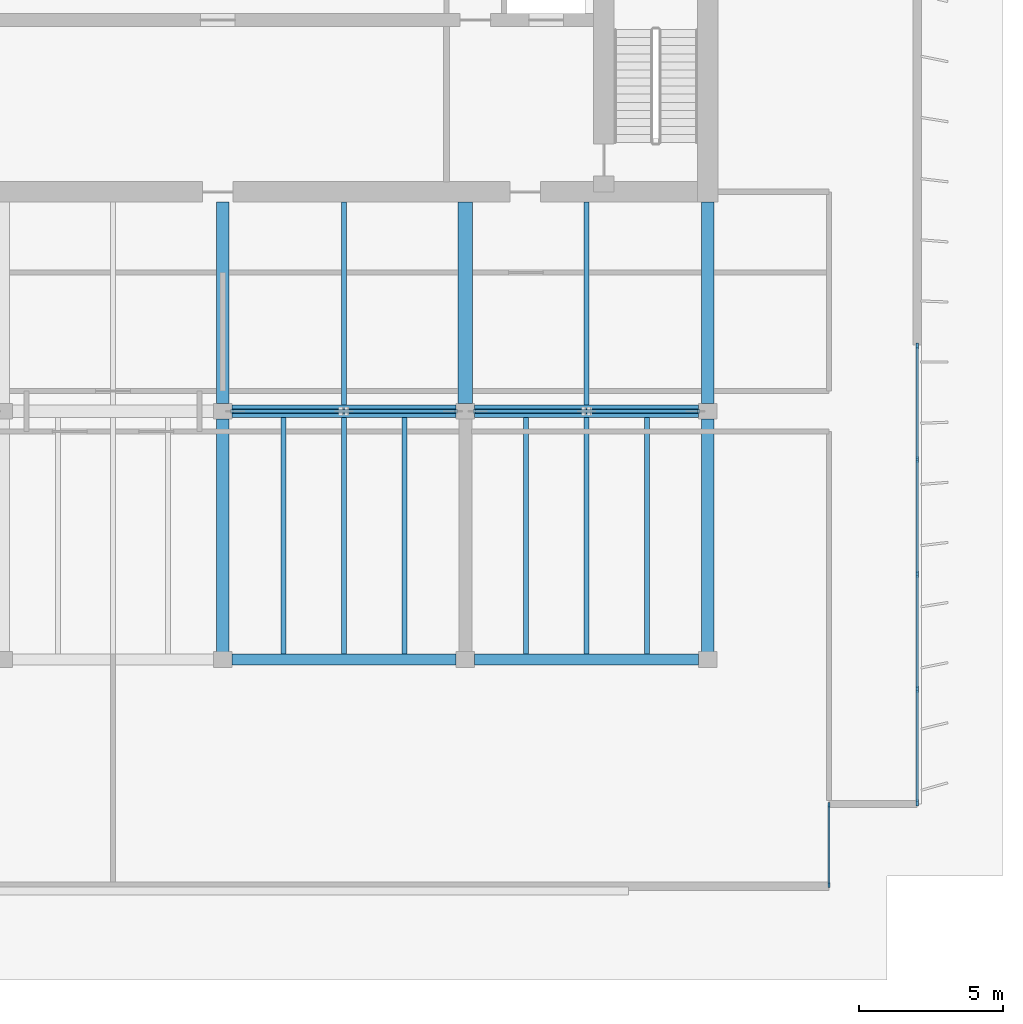
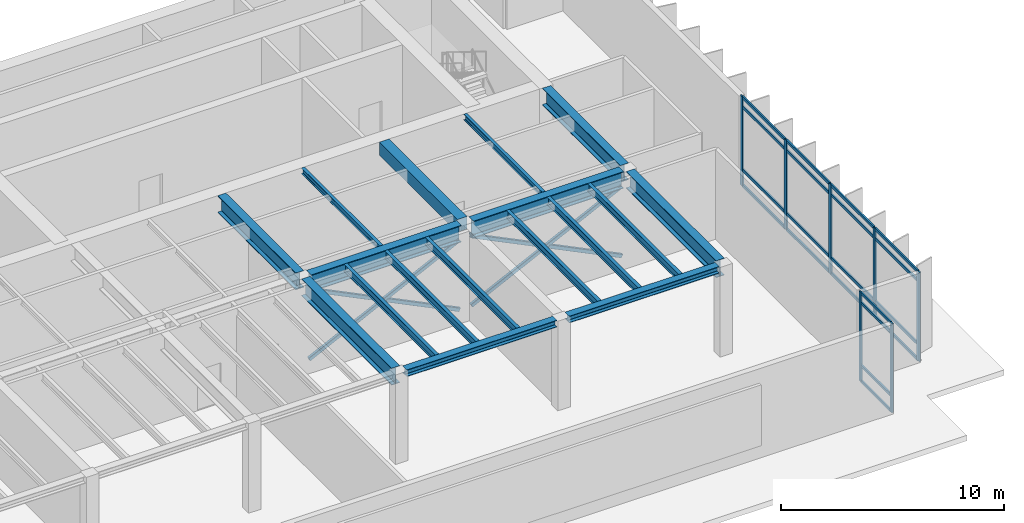
# One storey, part 3 of 12: 33 members, 17 beams, 2 elements without a shape of their own.
"""IFC4 building model written with IfcOpenShell, lengths in metres."""

import ifcopenshell
import ifcopenshell.guid

model = None  # the IFC model being written
_history = None  # IfcOwnerHistory: only IFC2X3 demands one
_inside = {}  # id of a spatial element -> (the spatial element, [elements in it])
_under = {}  # id of a project, library or spatial element -> (it, [spatial elements below it])
_declared = {}  # id of a project -> (the project, [libraries it declares])
_typed = {}  # id of a type object -> (the type object, [elements of that type])
_made_of = {}  # id of a material, layer set ... -> (it, [elements and type objects made of it])


def new_model(schema):
    """Start an empty IFC model of exactly this schema.

    Asked for "IFC4X3", IfcOpenShell would pick the latest addendum, in which some entities
    have other attributes; the version numbers below select the first issue.
    IFC2X3 requires an IfcOwnerHistory on every rooted entity: one is made here for all.
    """
    global model, _history
    if schema == "IFC4X3":
        model = ifcopenshell.file(schema_version=(4, 3, 0, 0))
    else:
        model = ifcopenshell.file(schema=schema)
    _inside.clear()
    _under.clear()
    _declared.clear()
    _typed.clear()
    _made_of.clear()
    _history = None
    if model.schema == "IFC2X3":
        org = make("IfcOrganization", Name="unknown")
        user = make(
            "IfcPersonAndOrganization",
            ThePerson=make("IfcPerson", FamilyName="unknown"),
            TheOrganization=org,
        )
        app = make(
            "IfcApplication",
            ApplicationDeveloper=org,
            Version="unknown",
            ApplicationFullName="unknown",
            ApplicationIdentifier="unknown",
        )
        _history = make(
            "IfcOwnerHistory",
            OwningUser=user,
            OwningApplication=app,
            ChangeAction="ADDED",
            CreationDate=0,
        )
    return model


def make(cls, **values):
    """One entity of the class cls with the attributes given. An attribute that is None is left unset."""
    return model.create_entity(
        cls, **{name: value for name, value in values.items() if value is not None}
    )


def rooted(cls, **values):
    """An entity with a GlobalId (a new one), such as an element, a storey or a relation."""
    return make(cls, GlobalId=ifcopenshell.guid.new(), OwnerHistory=_history, **values)


def si_unit(unit_type, name, prefix=None):
    """IfcSIUnit, for example si_unit("LENGTHUNIT", "METRE", prefix="MILLI")."""
    return make("IfcSIUnit", UnitType=unit_type, Prefix=prefix, Name=name)


def assignment(units):
    """IfcUnitAssignment: the units of a project."""
    return None if units is None else make("IfcUnitAssignment", Units=units)


def point(xyz):
    """IfcCartesianPoint."""
    return None if xyz is None else make("IfcCartesianPoint", Coordinates=xyz)


def direction(xyz):
    """IfcDirection."""
    return None if xyz is None else make("IfcDirection", DirectionRatios=xyz)


def frame(location, z_axis=None, x_axis=None):
    """IfcAxis2Placement3D, a coordinate frame: its origin and axes. An axis left out is left unset."""
    return make(
        "IfcAxis2Placement3D",
        Location=point(location),
        Axis=direction(z_axis),
        RefDirection=direction(x_axis),
    )


def frame_2d(location, x_axis=None):
    """IfcAxis2Placement2D, a coordinate frame in the plane: its origin and x axis."""
    return make(
        "IfcAxis2Placement2D", Location=point(location), RefDirection=direction(x_axis)
    )


def origin():
    """The frame at (0, 0, 0) with its axes left unset."""
    return frame((0.0, 0.0, 0.0))


def origin_2d():
    """The frame at (0, 0) in the plane with its x axis left unset."""
    return frame_2d((0.0, 0.0))


def place(relative_to, where):
    """IfcLocalPlacement: puts the frame where relative to a parent placement (None: the world)."""
    return make(
        "IfcLocalPlacement", PlacementRelTo=relative_to, RelativePlacement=where
    )


def context(
    kind, dimensions, precision=None, world=None, true_north=None, identifier=None
):
    """IfcGeometricRepresentationContext, for example the 3D "Model" context."""
    return make(
        "IfcGeometricRepresentationContext",
        ContextIdentifier=identifier,
        ContextType=kind,
        CoordinateSpaceDimension=dimensions,
        Precision=precision,
        WorldCoordinateSystem=world,
        TrueNorth=true_north,
    )


def subcontext(parent, identifier, kind, view, scale=None):
    """IfcGeometricRepresentationSubContext, for example "Body" below "Model"."""
    return make(
        "IfcGeometricRepresentationSubContext",
        ContextIdentifier=identifier,
        ContextType=kind,
        ParentContext=parent,
        TargetScale=scale,
        TargetView=view,
    )


def project(units=None, contexts=None):
    """IfcProject with its units and contexts."""
    return rooted(
        "IfcProject",
        Name="project",
        RepresentationContexts=contexts,
        UnitsInContext=assignment(units),
    )


def spatial(cls, under=None, at=None, **own):
    """A site, building, storey or space (cls), placed at a placement, below another one or the project."""
    s = rooted(cls, ObjectPlacement=at, **own)
    if under is not None:
        _under.setdefault(under.id(), (under, []))[1].append(s)
    return s


def profile(cls, at=None, kind="AREA", **sizes):
    """A parametric profile (cls). Its sizes go by their IFC names, for example OverallWidth=200.0."""
    return make(cls, ProfileType=kind, Position=at, **sizes)


def rectangle(**sizes):
    """IfcRectangleProfileDef."""
    return profile("IfcRectangleProfileDef", **sizes)


def hollow_rectangle(**sizes):
    """IfcRectangleHollowProfileDef."""
    return profile("IfcRectangleHollowProfileDef", **sizes)


def i_section(**sizes):
    """IfcIShapeProfileDef."""
    return profile("IfcIShapeProfileDef", **sizes)


def extrude(swept, where, along, depth):
    """IfcExtrudedAreaSolid: the profile swept, set in the frame where, extruded along a direction by depth."""
    return make(
        "IfcExtrudedAreaSolid",
        SweptArea=swept,
        Position=where,
        ExtrudedDirection=direction(along),
        Depth=depth,
    )


def shape(context_of_items, identifier, shape_type, items):
    """IfcShapeRepresentation: the items that make up one representation, for example the "Body"."""
    return make(
        "IfcShapeRepresentation",
        ContextOfItems=context_of_items,
        RepresentationIdentifier=identifier,
        RepresentationType=shape_type,
        Items=items,
    )


def material(Name=None, Category=None):
    """IfcMaterial."""
    return make("IfcMaterial", Name=Name, Category=Category)


def layer(
    of_material, thickness, ventilated=None, Name=None, Category=None, Priority=None
):
    """IfcMaterialLayer: one layer of a wall or slab, of a material (None: an air gap)."""
    return make(
        "IfcMaterialLayer",
        Material=of_material,
        LayerThickness=thickness,
        IsVentilated=ventilated,
        Name=Name,
        Category=Category,
        Priority=Priority,
    )


def layer_set(layers, Name=None):
    """IfcMaterialLayerSet."""
    return make("IfcMaterialLayerSet", MaterialLayers=layers, LayerSetName=Name)


def material_profile(
    of_material, cross_section, Name=None, Category=None, Priority=None
):
    """IfcMaterialProfile: a cross section and its material."""
    return make(
        "IfcMaterialProfile",
        Name=Name,
        Material=of_material,
        Profile=cross_section,
        Priority=Priority,
        Category=Category,
    )


def profile_set(profiles, Name=None, composite=None):
    """IfcMaterialProfileSet."""
    return make(
        "IfcMaterialProfileSet",
        Name=Name,
        MaterialProfiles=profiles,
        CompositeProfile=composite,
    )


def made_of(thing, what):
    """Note that an element or type object is made of a material, layer set ...; save() writes the relation."""
    if what is not None:
        _made_of.setdefault(what.id(), (what, []))[1].append(thing)
    return thing


def type_object(cls, material=None, **own):
    """A type object (cls), such as IfcWallType, which elements share."""
    return made_of(rooted(cls, **own), material)


def element(
    cls,
    number,
    at=None,
    inside=None,
    cuts=None,
    type_object=None,
    material=None,
    context=None,
    identifier="Body",
    shape_type=None,
    held_by="IfcProductDefinitionShape",
    body=None,
    shapes=None,
    **own,
):
    """One element of the class cls, such as IfcWall. Its Tag is "e" and its number.

    at: its placement. inside: the storey or other place that contains it. cuts: it is an
    opening in that element (IfcRelVoidsElement). A single representation is given by context,
    identifier, shape_type and body (its items); several are given by shapes. held_by: the class
    of the entity that holds the representations. save() writes the other relations.
    """
    e = rooted(cls, Tag="e%d" % number, ObjectPlacement=at, **own)
    if body is not None:
        shapes = [shape(context, identifier, shape_type, body)]
    if shapes is not None:
        e.Representation = make(held_by, Representations=shapes)
    if inside is not None:
        _inside.setdefault(inside.id(), (inside, []))[1].append(e)
    if cuts is not None:
        rooted(
            "IfcRelVoidsElement", RelatingBuildingElement=cuts, RelatedOpeningElement=e
        )
    if type_object is not None:
        _typed.setdefault(type_object.id(), (type_object, []))[1].append(e)
    return made_of(e, material)


def aggregate(whole, parts):
    """IfcRelAggregates: a whole, such as a stair, and the parts it consists of."""
    return rooted("IfcRelAggregates", RelatingObject=whole, RelatedObjects=parts)


def save(model, path):
    """Write the relations noted so far, then the file.

    IfcRelAggregates (storeys below a building ...), IfcRelContainedInSpatialStructure (elements
    in a storey), IfcRelDefinesByType, IfcRelAssociatesMaterial and IfcRelDeclares: one each for
    every whole, place, type object, material and project.
    """
    for whole, parts in _under.values():
        aggregate(whole, parts)
    for where, things in _inside.values():
        rooted(
            "IfcRelContainedInSpatialStructure",
            RelatedElements=things,
            RelatingStructure=where,
        )
    for kind, things in _typed.values():
        rooted("IfcRelDefinesByType", RelatedObjects=things, RelatingType=kind)
    for what, things in _made_of.values():
        rooted("IfcRelAssociatesMaterial", RelatedObjects=things, RelatingMaterial=what)
    for by, libraries in _declared.values():
        rooted("IfcRelDeclares", RelatingContext=by, RelatedDefinitions=libraries)
    model.write(path)


model = new_model("IFC4")

# Units and contexts
model_context = context("Model", 3, precision=1e-05, world=origin(), true_north=direction((0.0, 1.0)))
body_context = subcontext(model_context, "Body", "Model", "MODEL_VIEW")
ifc_project = project(units=[si_unit("LENGTHUNIT", "METRE"), si_unit("AREAUNIT", "SQUARE_METRE"), si_unit("VOLUMEUNIT", "CUBIC_METRE"), si_unit("PLANEANGLEUNIT", "RADIAN"), si_unit("MASSUNIT", "GRAM", prefix="KILO")], contexts=[model_context])

# Site, building, storey
site_placement = place(None, origin())
site = spatial("IfcSite", under=ifc_project, at=site_placement, CompositionType="ELEMENT")
building_placement = place(site_placement, origin())
building = spatial("IfcBuilding", under=site, at=building_placement, Name="Caelmar Bay Residences", CompositionType="ELEMENT")
storey_placement = place(building_placement, frame((0.0, 0.0, 274.199951171875)))
storey = spatial("IfcBuildingStorey", under=building, at=storey_placement, Name="L77", CompositionType="ELEMENT", Elevation=274.199951171875)

# Beams
ifc_material_1 = material(Name="Steel ASTM A992 Grade 50", Category="steel")
ifc_material_profile_1 = material_profile(ifc_material_1, i_section(OverallWidth=0.177978515625, OverallDepth=0.406005859375, WebThickness=0.0078125, FlangeThickness=0.0126953125, FilletRadius=0.0087890625, at=origin_2d()), Name="W16X40")
ifc_profile_set_1 = profile_set([ifc_material_profile_1], Name="Steel ASTM A992 Grade 50")
beam_type_1 = type_object("IfcBeamType", Name="BM-BAL-W16X40", PredefinedType="JOIST", material=ifc_profile_set_1)
for number, where, z_axis, x_axis, name in (
    (1, (44.800048828125, 20.986572265625, 4.697021484375), (0.0, 1.0, 0.0), (-1.0, 0.0, 0.0), "L77 Composite Floor Joist 10"),
    (2, (46.89990234375, 20.986572265625, 4.697021484375), (0.0, 1.0, 0.0), (-1.0, 0.0, 0.0), "L77 Composite Floor Joist 11"),
    (3, (49.0, 20.986572265625, 4.697021484375), (0.0, 1.0, 0.0), (-1.0, 0.0, 0.0), "L77 Composite Floor Joist 12"),
    (4, (53.199951171875, 20.986572265625, 4.697021484375), (0.0, 1.0, 0.0), (-1.0, 0.0, 0.0), "L77 Composite Floor Joist 13"),
    (5, (55.300048828125, 20.986572265625, 4.697021484375), (0.0, 1.0, 0.0), (-1.0, 0.0, 0.0), "L77 Composite Floor Joist 14"),
    (6, (57.39990234375, 20.986572265625, 4.697021484375), (0.0, 1.0, 0.0), (-1.0, 0.0, 0.0), "L77 Composite Floor Joist 15"),
):
    element("IfcBeam", number, at=place(storey_placement, frame(where, z_axis=z_axis, x_axis=x_axis)), inside=storey, type_object=beam_type_1, Name=name, PredefinedType="JOIST", context=body_context, shape_type="SweptSolid", body=[
        extrude(i_section(OverallWidth=0.177978515625, OverallDepth=0.406005859375, WebThickness=0.0078125, FlangeThickness=0.0126953125, FilletRadius=0.0087890625, at=origin_2d()), origin(), (0.0, 0.0, 1.0), 8.202392578125),
    ])
ifc_material_profile_2 = material_profile(ifc_material_1, i_section(OverallWidth=0.373046875, OverallDepth=0.373046875, WebThickness=0.016357421875, FlangeThickness=0.026123046875, FilletRadius=0.01513671875, at=origin_2d()), Name="W14X132")
ifc_profile_set_2 = profile_set([ifc_material_profile_2], Name="Steel ASTM A992 Grade 50")
beam_type_2 = type_object("IfcBeamType", Name="BM-CHD-W14X132", PredefinedType="BEAM", material=ifc_profile_set_2)
for number, where, z_axis, x_axis, name in (
    (7, (43.014892578125, 20.800048828125, 4.713623046875), (1.0, 0.0, 0.0), (0.0, 1.0, 0.0), "L77 East-West Girder Y=20.80 (42.7-51.1)"),
    (8, (51.4150390625, 20.800048828125, 4.713623046875), (1.0, 0.0, 0.0), (0.0, 1.0, 0.0), "L77 East-West Girder Y=20.80 (51.1-59.5)"),
):
    element("IfcBeam", number, at=place(storey_placement, frame(where, z_axis=z_axis, x_axis=x_axis)), inside=storey, type_object=beam_type_2, Name=name, PredefinedType="BEAM", context=body_context, shape_type="SweptSolid", body=[
        extrude(i_section(OverallWidth=0.373046875, OverallDepth=0.373046875, WebThickness=0.016357421875, FlangeThickness=0.026123046875, FilletRadius=0.01513671875, at=origin_2d()), origin(), (0.0, 0.0, 1.0), 7.77001953125),
    ])
ifc_material_profile_3 = material_profile(ifc_material_1, i_section(OverallWidth=0.422119140625, OverallDepth=0.925048828125, WebThickness=0.021240234375, FlangeThickness=0.03662109375, FilletRadius=0.020263671875, at=origin_2d()), Name="W36X262")
ifc_profile_set_3 = profile_set([ifc_material_profile_3], Name="Steel ASTM A992 Grade 50")
beam_type_3 = type_object("IfcBeamType", Name="BM-GRD-W36X262", PredefinedType="BEAM", material=ifc_profile_set_3)
for number, where, z_axis, x_axis, name in (
    (9, (43.014892578125, 29.39990234375, 4.4375), (1.0, 0.0, 0.0), (0.0, 1.0, 0.0), "L77 East-West Girder Y=29.40 (42.7-51.1)"),
    (10, (51.4150390625, 29.39990234375, 4.4375), (1.0, 0.0, 0.0), (0.0, 1.0, 0.0), "L77 East-West Girder Y=29.40 (51.1-59.5)"),
):
    element("IfcBeam", number, at=place(storey_placement, frame(where, z_axis=z_axis, x_axis=x_axis)), inside=storey, type_object=beam_type_3, Name=name, PredefinedType="BEAM", context=body_context, shape_type="SweptSolid", body=[
        extrude(i_section(OverallWidth=0.422119140625, OverallDepth=0.925048828125, WebThickness=0.021240234375, FlangeThickness=0.03662109375, FilletRadius=0.020263671875, at=origin_2d()), origin(), (0.0, 0.0, 1.0), 7.77001953125),
    ])
beam_1_placement = place(storey_placement, frame((42.699951171875, 29.6650390625, 4.4375), z_axis=(0.0, 1.0, 0.0), x_axis=(-1.0, 0.0, 0.0)))
element("IfcBeam", 11, at=beam_1_placement, inside=storey, type_object=beam_type_3, Name="L77 Core Tie Girder X=42.70", PredefinedType="BEAM", context=body_context, shape_type="SweptSolid", body=[
    extrude(i_section(OverallWidth=0.422119140625, OverallDepth=0.925048828125, WebThickness=0.021240234375, FlangeThickness=0.03662109375, FilletRadius=0.020263671875, at=origin_2d()), origin(), (0.0, 0.0, 1.0), 6.98486328125),
])
beam_2_placement = place(storey_placement, frame((42.699951171875, 21.06494140625, 4.4375), z_axis=(0.0, 1.0, 0.0), x_axis=(-1.0, 0.0, 0.0)))
element("IfcBeam", 12, at=beam_2_placement, inside=storey, type_object=beam_type_3, Name="L77 North-South Girder X=42.70 (20.8-29.4)", PredefinedType="BEAM", context=body_context, shape_type="SweptSolid", body=[
    extrude(i_section(OverallWidth=0.422119140625, OverallDepth=0.925048828125, WebThickness=0.021240234375, FlangeThickness=0.03662109375, FilletRadius=0.020263671875, at=origin_2d()), origin(), (0.0, 0.0, 1.0), 8.070068359375),
])
beam_3_placement = place(storey_placement, frame((59.5, 29.6650390625, 4.4375), z_axis=(0.0, 1.0, 0.0), x_axis=(-1.0, 0.0, 0.0)))
element("IfcBeam", 13, at=beam_3_placement, inside=storey, type_object=beam_type_3, Name="L77 Core Tie Girder X=59.50", PredefinedType="BEAM", context=body_context, shape_type="SweptSolid", body=[
    extrude(i_section(OverallWidth=0.422119140625, OverallDepth=0.925048828125, WebThickness=0.021240234375, FlangeThickness=0.03662109375, FilletRadius=0.020263671875, at=origin_2d()), origin(), (0.0, 0.0, 1.0), 6.98486328125),
])
beam_4_placement = place(storey_placement, frame((59.5, 21.06494140625, 4.4375), z_axis=(0.0, 1.0, 0.0), x_axis=(-1.0, 0.0, 0.0)))
element("IfcBeam", 14, at=beam_4_placement, inside=storey, type_object=beam_type_3, Name="L77 North-South Girder X=59.50 (20.8-29.4)", PredefinedType="BEAM", context=body_context, shape_type="SweptSolid", body=[
    extrude(i_section(OverallWidth=0.422119140625, OverallDepth=0.925048828125, WebThickness=0.021240234375, FlangeThickness=0.03662109375, FilletRadius=0.020263671875, at=origin_2d()), origin(), (0.0, 0.0, 1.0), 8.070068359375),
])
ifc_material_profile_4 = material_profile(ifc_material_1, i_section(OverallWidth=0.1650390625, OverallDepth=0.31005859375, WebThickness=0.005859375, FlangeThickness=0.009765625, FilletRadius=0.007568359375, at=origin_2d()), Name="W12X26")
ifc_profile_set_4 = profile_set([ifc_material_profile_4], Name="Steel ASTM A992 Grade 50")
beam_type_4 = type_object("IfcBeamType", Name="BM-JST-W12X26", PredefinedType="JOIST", material=ifc_profile_set_4)
for number, where, z_axis, x_axis, name in (
    (15, (46.89990234375, 29.611083984375, 4.7451171875), (0.0, 1.0, 0.0), (-1.0, 0.0, 0.0), "L77 Core-Band Composite Joist 19"),
    (16, (55.300048828125, 29.611083984375, 4.7451171875), (0.0, 1.0, 0.0), (-1.0, 0.0, 0.0), "L77 Core-Band Composite Joist 20"),
):
    element("IfcBeam", number, at=place(storey_placement, frame(where, z_axis=z_axis, x_axis=x_axis)), inside=storey, type_object=beam_type_4, Name=name, PredefinedType="JOIST", context=body_context, shape_type="SweptSolid", body=[
        extrude(i_section(OverallWidth=0.1650390625, OverallDepth=0.31005859375, WebThickness=0.005859375, FlangeThickness=0.009765625, FilletRadius=0.007568359375, at=origin_2d()), origin(), (0.0, 0.0, 1.0), 7.038818359375),
    ])
ifc_material_2 = material(Name="Concrete f'c 55 MPa (8,000 psi)", Category="concrete")
ifc_material_profile_5 = material_profile(ifc_material_2, rectangle(XDim=0.5, YDim=0.699951171875, at=origin_2d()), Name="RC-BM-500X700")
ifc_profile_set_5 = profile_set([ifc_material_profile_5], Name="Concrete f'c 55 MPa (8,000 psi)")
beam_type_5 = type_object("IfcBeamType", Name="BM-RC-500X700", PredefinedType="LINTEL", material=ifc_profile_set_5)
beam_5_placement = place(storey_placement, frame((51.10009765625, 29.6650390625, 4.550048828125), z_axis=(0.0, 1.0, 0.0), x_axis=(-1.0, 0.0, 0.0)))
element("IfcBeam", 17, at=beam_5_placement, inside=storey, type_object=beam_type_5, Name="L77 Shear-Wall Corridor Coupling Lintel E8", PredefinedType="LINTEL", context=body_context, shape_type="SweptSolid", body=[
    extrude(rectangle(XDim=0.5, YDim=0.699951171875, at=origin_2d()), origin(), (0.0, 0.0, 1.0), 6.98486328125),
])

# Curtain wall, members
ifc_material_3 = material(Name="Anodised bronze aluminium 6063-T6 and laminated glass", Category="aluminium")
ifc_layer_1 = layer(ifc_material_3, 0.179931640625)
ifc_layer_set_1 = layer_set([ifc_layer_1], Name="Anodised bronze aluminium 6063-T6 and laminated glass")
curtain_wall_type_1 = type_object("IfcCurtainWallType", Name="CW6-NTC", PredefinedType="NOTDEFINED", material=ifc_layer_set_1)
curtain_wall_1_placement = place(storey_placement, origin())
curtain_wall_1 = element("IfcCurtainWall", 18, at=curtain_wall_1_placement, inside=storey, type_object=curtain_wall_type_1, Name="CW6 curtain wall L77", PredefinedType="NOTDEFINED")
ifc_material_4 = material(Name="Anodised bronze aluminium 6063-T6", Category="aluminium")
ifc_material_profile_6 = material_profile(ifc_material_4, rectangle(XDim=0.080078125, YDim=0.179931640625, at=origin_2d()), Name="CWM-80X180")
ifc_profile_set_6 = profile_set([ifc_material_profile_6], Name="Anodised bronze aluminium 6063-T6")
member_type_1 = type_object("IfcMemberType", Name="CWM-180", PredefinedType="MULLION", material=ifc_profile_set_6)
member_1_placement = place(storey_placement, frame((63.699951171875, 12.989990234375, 0.0), z_axis=(0.0, 0.0, 1.0), x_axis=(-1.0, 0.0, 0.0)))
member_1 = element("IfcMember", 19, at=member_1_placement, type_object=member_type_1, Name="CW6 mullion 1", PredefinedType="MULLION", context=body_context, shape_type="SweptSolid", body=[
    extrude(rectangle(XDim=0.080078125, YDim=0.179931640625, at=origin_2d()), origin(), (0.0, 0.0, 1.0), 4.900146484375),
])
member_2_placement = place(storey_placement, frame((63.699951171875, 15.760009765625, 0.0), z_axis=(0.0, 0.0, 1.0), x_axis=(-1.0, 0.0, 0.0)))
member_2 = element("IfcMember", 20, at=member_2_placement, type_object=member_type_1, Name="CW6 mullion 2", PredefinedType="MULLION", context=body_context, shape_type="SweptSolid", body=[
    extrude(rectangle(XDim=0.080078125, YDim=0.179931640625, at=origin_2d()), origin(), (0.0, 0.0, 1.0), 4.900146484375),
])

ifc_layer_2 = layer(ifc_material_3, 0.179931640625)
ifc_layer_set_2 = layer_set([ifc_layer_2], Name="Anodised bronze aluminium 6063-T6 and laminated glass")
curtain_wall_type_2 = type_object("IfcCurtainWallType", Name="CW7-CRN", PredefinedType="NOTDEFINED", material=ifc_layer_set_2)
curtain_wall_2_placement = place(storey_placement, origin())
curtain_wall_2 = element("IfcCurtainWall", 21, at=curtain_wall_2_placement, inside=storey, type_object=curtain_wall_type_2, Name="CW7 curtain wall L77", PredefinedType="NOTDEFINED")
ifc_material_profile_7 = material_profile(ifc_material_4, rectangle(XDim=0.080078125, YDim=0.219970703125, at=origin_2d()), Name="CWM-80X220")
ifc_profile_set_7 = profile_set([ifc_material_profile_7], Name="Anodised bronze aluminium 6063-T6")
member_type_2 = type_object("IfcMemberType", Name="CWM-220", PredefinedType="MULLION", material=ifc_profile_set_7)
member_3_placement = place(storey_placement, frame((66.75, 31.659912109375, 0.0), z_axis=(0.0, 0.0, 1.0), x_axis=(1.0, 0.0, 0.0)))
member_3 = element("IfcMember", 22, at=member_3_placement, type_object=member_type_2, Name="CW7 mullion 1", PredefinedType="MULLION", context=body_context, shape_type="SweptSolid", body=[
    extrude(rectangle(XDim=0.080078125, YDim=0.219970703125, at=origin_2d()), origin(), (0.0, 0.0, 1.0), 4.900146484375),
])
member_4_placement = place(storey_placement, frame((66.75, 27.72509765625, 0.0), z_axis=(0.0, 0.0, 1.0), x_axis=(1.0, 0.0, 0.0)))
member_4 = element("IfcMember", 23, at=member_4_placement, type_object=member_type_2, Name="CW7 mullion 2", PredefinedType="MULLION", context=body_context, shape_type="SweptSolid", body=[
    extrude(rectangle(XDim=0.080078125, YDim=0.219970703125, at=origin_2d()), origin(), (0.0, 0.0, 1.0), 4.900146484375),
])
member_5_placement = place(storey_placement, frame((66.75, 23.75, 0.0), z_axis=(0.0, 0.0, 1.0), x_axis=(1.0, 0.0, 0.0)))
member_5 = element("IfcMember", 24, at=member_5_placement, type_object=member_type_2, Name="CW7 mullion 3", PredefinedType="MULLION", context=body_context, shape_type="SweptSolid", body=[
    extrude(rectangle(XDim=0.080078125, YDim=0.219970703125, at=origin_2d()), origin(), (0.0, 0.0, 1.0), 4.900146484375),
])
member_6_placement = place(storey_placement, frame((66.75, 19.77490234375, 0.0), z_axis=(0.0, 0.0, 1.0), x_axis=(1.0, 0.0, 0.0)))
member_6 = element("IfcMember", 25, at=member_6_placement, type_object=member_type_2, Name="CW7 mullion 4", PredefinedType="MULLION", context=body_context, shape_type="SweptSolid", body=[
    extrude(rectangle(XDim=0.080078125, YDim=0.219970703125, at=origin_2d()), origin(), (0.0, 0.0, 1.0), 4.900146484375),
])
member_7_placement = place(storey_placement, frame((66.75, 15.840087890625, 0.0), z_axis=(0.0, 0.0, 1.0), x_axis=(1.0, 0.0, 0.0)))
member_7 = element("IfcMember", 26, at=member_7_placement, type_object=member_type_2, Name="CW7 mullion 5", PredefinedType="MULLION", context=body_context, shape_type="SweptSolid", body=[
    extrude(rectangle(XDim=0.080078125, YDim=0.219970703125, at=origin_2d()), origin(), (0.0, 0.0, 1.0), 4.900146484375),
])

# Member
ifc_material_profile_8 = material_profile(ifc_material_4, rectangle(XDim=0.080078125, YDim=0.139892578125, at=origin_2d()), Name="CWT-80X140")
ifc_profile_set_8 = profile_set([ifc_material_profile_8], Name="Anodised bronze aluminium 6063-T6")
member_type_3 = type_object("IfcMemberType", Name="CWT-140", PredefinedType="NOTDEFINED", material=ifc_profile_set_8)
member_8_placement = place(storey_placement, frame((63.699951171875, 13.030029296875, 0.0400390625), z_axis=(0.0, 1.0, 0.0), x_axis=(-1.0, 0.0, 0.0)))
member_8 = element("IfcMember", 27, at=member_8_placement, type_object=member_type_3, Name="CW6 transom 1.1", ObjectType="TRANSOM", PredefinedType="USERDEFINED", context=body_context, shape_type="SweptSolid", body=[
    extrude(rectangle(XDim=0.080078125, YDim=0.139892578125, at=origin_2d()), origin(), (0.0, 0.0, 1.0), 2.68994140625),
])

member_9_placement = place(storey_placement, frame((63.699951171875, 13.030029296875, 0.900146484375), z_axis=(0.0, 1.0, 0.0), x_axis=(-1.0, 0.0, 0.0)))
member_9 = element("IfcMember", 28, at=member_9_placement, type_object=member_type_3, Name="CW6 transom 1.2", ObjectType="TRANSOM", PredefinedType="USERDEFINED", context=body_context, shape_type="SweptSolid", body=[
    extrude(rectangle(XDim=0.080078125, YDim=0.139892578125, at=origin_2d()), origin(), (0.0, 0.0, 1.0), 2.68994140625),
])

member_10_placement = place(storey_placement, frame((63.699951171875, 13.030029296875, 4.35009765625), z_axis=(0.0, 1.0, 0.0), x_axis=(-1.0, 0.0, 0.0)))
member_10 = element("IfcMember", 29, at=member_10_placement, type_object=member_type_3, Name="CW6 transom 1.3", ObjectType="TRANSOM", PredefinedType="USERDEFINED", context=body_context, shape_type="SweptSolid", body=[
    extrude(rectangle(XDim=0.080078125, YDim=0.139892578125, at=origin_2d()), origin(), (0.0, 0.0, 1.0), 2.68994140625),
])

member_11_placement = place(storey_placement, frame((63.699951171875, 13.030029296875, 4.860107421875), z_axis=(0.0, 1.0, 0.0), x_axis=(-1.0, 0.0, 0.0)))
member_11 = element("IfcMember", 30, at=member_11_placement, type_object=member_type_3, Name="CW6 transom 1.4", ObjectType="TRANSOM", PredefinedType="USERDEFINED", context=body_context, shape_type="SweptSolid", body=[
    extrude(rectangle(XDim=0.080078125, YDim=0.139892578125, at=origin_2d()), origin(), (0.0, 0.0, 1.0), 2.68994140625),
])

aggregate(curtain_wall_1, [member_1, member_2, member_8, member_9, member_10, member_11])

ifc_material_profile_9 = material_profile(ifc_material_4, rectangle(XDim=0.080078125, YDim=0.159912109375, at=origin_2d()), Name="CWT-80X160")
ifc_profile_set_9 = profile_set([ifc_material_profile_9], Name="Anodised bronze aluminium 6063-T6")
member_type_4 = type_object("IfcMemberType", Name="CWT-160", PredefinedType="NOTDEFINED", material=ifc_profile_set_9)
member_12_placement = place(storey_placement, frame((66.75, 31.6201171875, 0.0400390625), z_axis=(0.0, -1.0, 0.0), x_axis=(1.0, 0.0, 0.0)))
member_12 = element("IfcMember", 31, at=member_12_placement, type_object=member_type_4, Name="CW7 transom 1.1", ObjectType="TRANSOM", PredefinedType="USERDEFINED", context=body_context, shape_type="SweptSolid", body=[
    extrude(rectangle(XDim=0.080078125, YDim=0.159912109375, at=origin_2d()), origin(), (0.0, 0.0, 1.0), 3.855224609375),
])

member_13_placement = place(storey_placement, frame((66.75, 31.6201171875, 0.900146484375), z_axis=(0.0, -1.0, 0.0), x_axis=(1.0, 0.0, 0.0)))
member_13 = element("IfcMember", 32, at=member_13_placement, type_object=member_type_4, Name="CW7 transom 1.2", ObjectType="TRANSOM", PredefinedType="USERDEFINED", context=body_context, shape_type="SweptSolid", body=[
    extrude(rectangle(XDim=0.080078125, YDim=0.159912109375, at=origin_2d()), origin(), (0.0, 0.0, 1.0), 3.855224609375),
])

member_14_placement = place(storey_placement, frame((66.75, 31.6201171875, 4.35009765625), z_axis=(0.0, -1.0, 0.0), x_axis=(1.0, 0.0, 0.0)))
member_14 = element("IfcMember", 33, at=member_14_placement, type_object=member_type_4, Name="CW7 transom 1.3", ObjectType="TRANSOM", PredefinedType="USERDEFINED", context=body_context, shape_type="SweptSolid", body=[
    extrude(rectangle(XDim=0.080078125, YDim=0.159912109375, at=origin_2d()), origin(), (0.0, 0.0, 1.0), 3.855224609375),
])

member_15_placement = place(storey_placement, frame((66.75, 31.6201171875, 4.860107421875), z_axis=(0.0, -1.0, 0.0), x_axis=(1.0, 0.0, 0.0)))
member_15 = element("IfcMember", 34, at=member_15_placement, type_object=member_type_4, Name="CW7 transom 1.4", ObjectType="TRANSOM", PredefinedType="USERDEFINED", context=body_context, shape_type="SweptSolid", body=[
    extrude(rectangle(XDim=0.080078125, YDim=0.159912109375, at=origin_2d()), origin(), (0.0, 0.0, 1.0), 3.855224609375),
])

member_16_placement = place(storey_placement, frame((66.75, 27.68505859375, 0.0400390625), z_axis=(0.0, -1.0, 0.0), x_axis=(1.0, 0.0, 0.0)))
member_16 = element("IfcMember", 35, at=member_16_placement, type_object=member_type_4, Name="CW7 transom 2.1", ObjectType="TRANSOM", PredefinedType="USERDEFINED", context=body_context, shape_type="SweptSolid", body=[
    extrude(rectangle(XDim=0.080078125, YDim=0.159912109375, at=origin_2d()), origin(), (0.0, 0.0, 1.0), 3.89501953125),
])

member_17_placement = place(storey_placement, frame((66.75, 27.68505859375, 0.900146484375), z_axis=(0.0, -1.0, 0.0), x_axis=(1.0, 0.0, 0.0)))
member_17 = element("IfcMember", 36, at=member_17_placement, type_object=member_type_4, Name="CW7 transom 2.2", ObjectType="TRANSOM", PredefinedType="USERDEFINED", context=body_context, shape_type="SweptSolid", body=[
    extrude(rectangle(XDim=0.080078125, YDim=0.159912109375, at=origin_2d()), origin(), (0.0, 0.0, 1.0), 3.89501953125),
])

member_18_placement = place(storey_placement, frame((66.75, 27.68505859375, 4.35009765625), z_axis=(0.0, -1.0, 0.0), x_axis=(1.0, 0.0, 0.0)))
member_18 = element("IfcMember", 37, at=member_18_placement, type_object=member_type_4, Name="CW7 transom 2.3", ObjectType="TRANSOM", PredefinedType="USERDEFINED", context=body_context, shape_type="SweptSolid", body=[
    extrude(rectangle(XDim=0.080078125, YDim=0.159912109375, at=origin_2d()), origin(), (0.0, 0.0, 1.0), 3.89501953125),
])

member_19_placement = place(storey_placement, frame((66.75, 27.68505859375, 4.860107421875), z_axis=(0.0, -1.0, 0.0), x_axis=(1.0, 0.0, 0.0)))
member_19 = element("IfcMember", 38, at=member_19_placement, type_object=member_type_4, Name="CW7 transom 2.4", ObjectType="TRANSOM", PredefinedType="USERDEFINED", context=body_context, shape_type="SweptSolid", body=[
    extrude(rectangle(XDim=0.080078125, YDim=0.159912109375, at=origin_2d()), origin(), (0.0, 0.0, 1.0), 3.89501953125),
])

member_20_placement = place(storey_placement, frame((66.75, 23.7099609375, 0.0400390625), z_axis=(0.0, -1.0, 0.0), x_axis=(1.0, 0.0, 0.0)))
member_20 = element("IfcMember", 39, at=member_20_placement, type_object=member_type_4, Name="CW7 transom 3.1", ObjectType="TRANSOM", PredefinedType="USERDEFINED", context=body_context, shape_type="SweptSolid", body=[
    extrude(rectangle(XDim=0.080078125, YDim=0.159912109375, at=origin_2d()), origin(), (0.0, 0.0, 1.0), 3.89501953125),
])

member_21_placement = place(storey_placement, frame((66.75, 23.7099609375, 0.900146484375), z_axis=(0.0, -1.0, 0.0), x_axis=(1.0, 0.0, 0.0)))
member_21 = element("IfcMember", 40, at=member_21_placement, type_object=member_type_4, Name="CW7 transom 3.2", ObjectType="TRANSOM", PredefinedType="USERDEFINED", context=body_context, shape_type="SweptSolid", body=[
    extrude(rectangle(XDim=0.080078125, YDim=0.159912109375, at=origin_2d()), origin(), (0.0, 0.0, 1.0), 3.89501953125),
])

member_22_placement = place(storey_placement, frame((66.75, 23.7099609375, 4.35009765625), z_axis=(0.0, -1.0, 0.0), x_axis=(1.0, 0.0, 0.0)))
member_22 = element("IfcMember", 41, at=member_22_placement, type_object=member_type_4, Name="CW7 transom 3.3", ObjectType="TRANSOM", PredefinedType="USERDEFINED", context=body_context, shape_type="SweptSolid", body=[
    extrude(rectangle(XDim=0.080078125, YDim=0.159912109375, at=origin_2d()), origin(), (0.0, 0.0, 1.0), 3.89501953125),
])

member_23_placement = place(storey_placement, frame((66.75, 23.7099609375, 4.860107421875), z_axis=(0.0, -1.0, 0.0), x_axis=(1.0, 0.0, 0.0)))
member_23 = element("IfcMember", 42, at=member_23_placement, type_object=member_type_4, Name="CW7 transom 3.4", ObjectType="TRANSOM", PredefinedType="USERDEFINED", context=body_context, shape_type="SweptSolid", body=[
    extrude(rectangle(XDim=0.080078125, YDim=0.159912109375, at=origin_2d()), origin(), (0.0, 0.0, 1.0), 3.89501953125),
])

member_24_placement = place(storey_placement, frame((66.75, 19.735107421875, 0.0400390625), z_axis=(0.0, -1.0, 0.0), x_axis=(1.0, 0.0, 0.0)))
member_24 = element("IfcMember", 43, at=member_24_placement, type_object=member_type_4, Name="CW7 transom 4.1", ObjectType="TRANSOM", PredefinedType="USERDEFINED", context=body_context, shape_type="SweptSolid", body=[
    extrude(rectangle(XDim=0.080078125, YDim=0.159912109375, at=origin_2d()), origin(), (0.0, 0.0, 1.0), 3.855224609375),
])

member_25_placement = place(storey_placement, frame((66.75, 19.735107421875, 0.900146484375), z_axis=(0.0, -1.0, 0.0), x_axis=(1.0, 0.0, 0.0)))
member_25 = element("IfcMember", 44, at=member_25_placement, type_object=member_type_4, Name="CW7 transom 4.2", ObjectType="TRANSOM", PredefinedType="USERDEFINED", context=body_context, shape_type="SweptSolid", body=[
    extrude(rectangle(XDim=0.080078125, YDim=0.159912109375, at=origin_2d()), origin(), (0.0, 0.0, 1.0), 3.855224609375),
])

member_26_placement = place(storey_placement, frame((66.75, 19.735107421875, 4.35009765625), z_axis=(0.0, -1.0, 0.0), x_axis=(1.0, 0.0, 0.0)))
member_26 = element("IfcMember", 45, at=member_26_placement, type_object=member_type_4, Name="CW7 transom 4.3", ObjectType="TRANSOM", PredefinedType="USERDEFINED", context=body_context, shape_type="SweptSolid", body=[
    extrude(rectangle(XDim=0.080078125, YDim=0.159912109375, at=origin_2d()), origin(), (0.0, 0.0, 1.0), 3.855224609375),
])

member_27_placement = place(storey_placement, frame((66.75, 19.735107421875, 4.860107421875), z_axis=(0.0, -1.0, 0.0), x_axis=(1.0, 0.0, 0.0)))
member_27 = element("IfcMember", 46, at=member_27_placement, type_object=member_type_4, Name="CW7 transom 4.4", ObjectType="TRANSOM", PredefinedType="USERDEFINED", context=body_context, shape_type="SweptSolid", body=[
    extrude(rectangle(XDim=0.080078125, YDim=0.159912109375, at=origin_2d()), origin(), (0.0, 0.0, 1.0), 3.855224609375),
])

aggregate(curtain_wall_2, [member_3, member_4, member_5, member_6, member_7, member_12, member_13, member_14, member_15, member_16, member_17, member_18, member_19, member_20, member_21, member_22, member_23, member_24, member_25, member_26, member_27])

# Members
ifc_material_5 = material(Name="Steel ASTM A500 Grade C", Category="steel")
ifc_material_profile_10 = material_profile(ifc_material_5, hollow_rectangle(XDim=0.152099609375, YDim=0.202880859375, WallThickness=0.01171875, InnerFilletRadius=0.01171875, OuterFilletRadius=0.023681640625, at=origin_2d()), Name="HSS200X150X12.7")
ifc_profile_set_10 = profile_set([ifc_material_profile_10], Name="Steel ASTM A500 Grade C")
member_type_5 = type_object("IfcMemberType", Name="MEM-BRC-HSS200X150", PredefinedType="BRACE", material=ifc_profile_set_10)
member_28_placement = place(storey_placement, frame((43.014892578125, 29.39990234375, 0.179931640625), z_axis=(0.897864746864, 0.0, 0.440271389416), x_axis=(0.0, 1.0, 0.0)))
element("IfcMember", 47, at=member_28_placement, inside=storey, type_object=member_type_5, Name="L77 Crown X-Brace Continuous Diagonal 3", PredefinedType="BRACE", context=body_context, shape_type="SweptSolid", body=[
    extrude(hollow_rectangle(XDim=0.152099609375, YDim=0.202880859375, WallThickness=0.01171875, InnerFilletRadius=0.01171875, OuterFilletRadius=0.023681640625, at=origin_2d()), origin(), (0.0, 0.0, 1.0), 8.65380859375),
])
for number, where, z_axis, x_axis, name in (
    (48, (50.784912109375, 29.39990234375, 0.179931640625), (-0.897840820361, 0.0, 0.44032018043), (0.0, -1.0, 0.0), "L77 Crown X-Brace Lower Split Diagonal 3A"),
    (49, (46.800048828125, 29.39990234375, 2.134033203125), (-0.89787494081, 0.0, 0.440250599847), (0.0, -1.0, 0.0), "L77 Crown X-Brace Upper Split Diagonal 3B"),
):
    element("IfcMember", number, at=place(storey_placement, frame(where, z_axis=z_axis, x_axis=x_axis)), inside=storey, type_object=member_type_5, Name=name, PredefinedType="BRACE", context=body_context, shape_type="SweptSolid", body=[
        extrude(hollow_rectangle(XDim=0.152099609375, YDim=0.202880859375, WallThickness=0.01171875, InnerFilletRadius=0.01171875, OuterFilletRadius=0.023681640625, at=origin_2d()), origin(), (0.0, 0.0, 1.0), 4.215576171875),
    ])
member_29_placement = place(storey_placement, frame((51.4150390625, 29.39990234375, 0.179931640625), z_axis=(0.897864746864, 0.0, 0.440271389416), x_axis=(0.0, 1.0, 0.0)))
element("IfcMember", 50, at=member_29_placement, inside=storey, type_object=member_type_5, Name="L77 Crown X-Brace Continuous Diagonal 4", PredefinedType="BRACE", context=body_context, shape_type="SweptSolid", body=[
    extrude(hollow_rectangle(XDim=0.152099609375, YDim=0.202880859375, WallThickness=0.01171875, InnerFilletRadius=0.01171875, OuterFilletRadius=0.023681640625, at=origin_2d()), origin(), (0.0, 0.0, 1.0), 8.65380859375),
])
member_30_placement = place(storey_placement, frame((59.18505859375, 29.39990234375, 0.179931640625), z_axis=(-0.89785204796, 0.0, 0.440297285903), x_axis=(0.0, -1.0, 0.0)))
element("IfcMember", 51, at=member_30_placement, inside=storey, type_object=member_type_5, Name="L77 Crown X-Brace Lower Split Diagonal 4A", PredefinedType="BRACE", context=body_context, shape_type="SweptSolid", body=[
    extrude(hollow_rectangle(XDim=0.152099609375, YDim=0.202880859375, WallThickness=0.01171875, InnerFilletRadius=0.01171875, OuterFilletRadius=0.023681640625, at=origin_2d()), origin(), (0.0, 0.0, 1.0), 4.2158203125),
])
member_31_placement = place(storey_placement, frame((55.199951171875, 29.39990234375, 2.134033203125), z_axis=(-0.897863715305, 0.0, 0.440273493114), x_axis=(0.0, -1.0, 0.0)))
element("IfcMember", 52, at=member_31_placement, inside=storey, type_object=member_type_5, Name="L77 Crown X-Brace Upper Split Diagonal 4B", PredefinedType="BRACE", context=body_context, shape_type="SweptSolid", body=[
    extrude(hollow_rectangle(XDim=0.152099609375, YDim=0.202880859375, WallThickness=0.01171875, InnerFilletRadius=0.01171875, OuterFilletRadius=0.023681640625, at=origin_2d()), origin(), (0.0, 0.0, 1.0), 4.215576171875),
])

save(model, "model.ifc")
